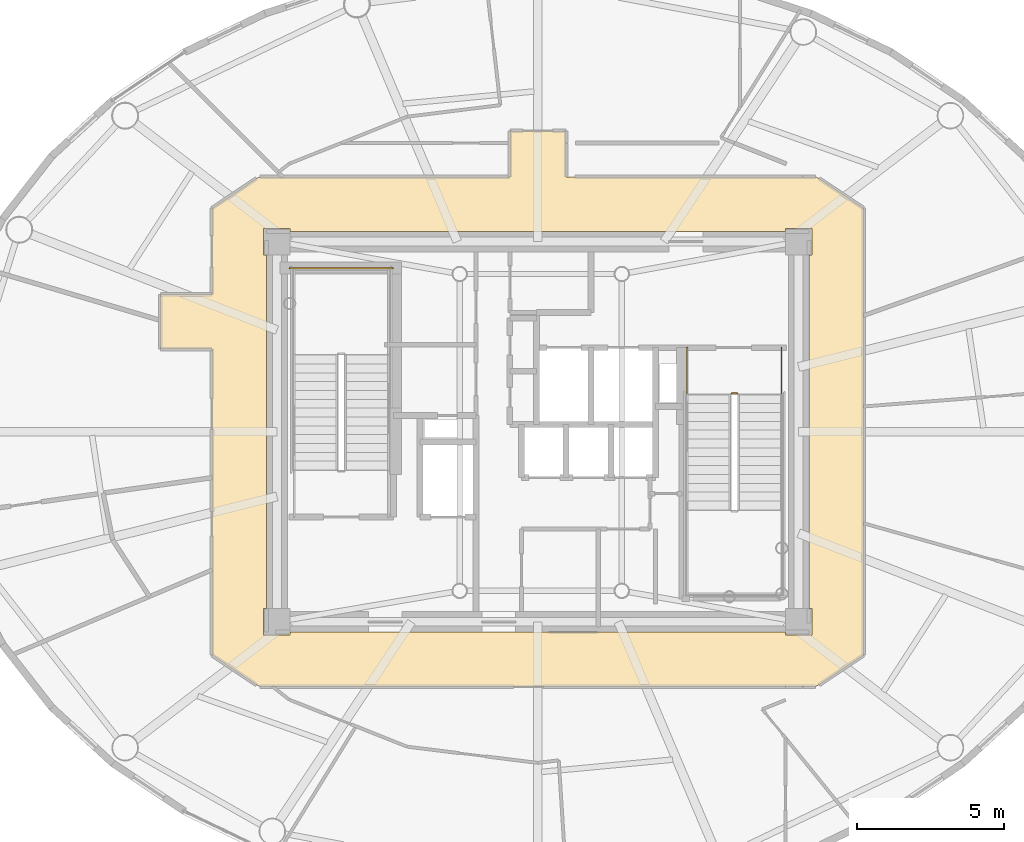
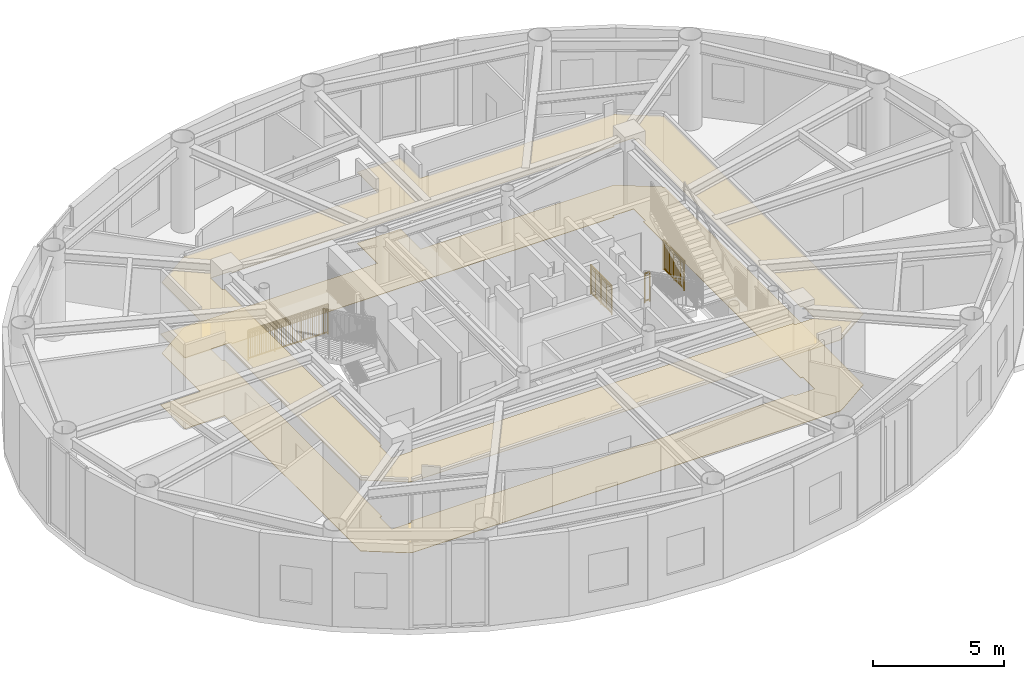
# One storey, part 24 of 24: 4 railings, 2 coverings.
"""IFC4 building model written with IfcOpenShell, lengths in metres."""

from ifc_helpers import new_model, si_unit, direction, frame, origin, origin_2d, place, context, subcontext, project, spatial, polyline, rectangle, outline, extrude, source, transform, mapped, material, layer, layer_set, type_object, element, save


model = new_model("IFC4")

# Units and contexts
model_context = context("Model", 3, precision=1e-05, world=origin(), true_north=direction((0.0, 1.0)))
body_context = subcontext(model_context, "Body", "Model", "MODEL_VIEW")
ifc_project = project(units=[si_unit("LENGTHUNIT", "METRE"), si_unit("AREAUNIT", "SQUARE_METRE"), si_unit("VOLUMEUNIT", "CUBIC_METRE"), si_unit("PLANEANGLEUNIT", "RADIAN"), si_unit("MASSUNIT", "GRAM", prefix="KILO")], contexts=[model_context])

# Site, building, storey
site_placement = place(None, origin())
site = spatial("IfcSite", under=ifc_project, at=site_placement, CompositionType="ELEMENT")
building_placement = place(site_placement, origin())
building = spatial("IfcBuilding", under=site, at=building_placement, Name="Linh Dai School and Residence Tower", CompositionType="ELEMENT")
storey_placement = place(building_placement, frame((0.0, 0.0, 355.199951171875)))
storey = spatial("IfcBuildingStorey", under=building, at=storey_placement, Name="L88", CompositionType="ELEMENT", Elevation=355.199951171875)

# Coverings
ifc_material_1 = material(Name="Mineral Fibre Acoustic Suspended Ceiling", Category="masonry")
ifc_layer_1 = layer(ifc_material_1, 0.02001953125)
ifc_layer_set_1 = layer_set([ifc_layer_1], Name="Mineral Fibre Acoustic Suspended Ceiling")
covering_type_1 = type_object("IfcCoveringType", Name="COV-CEIL-AC-20", PredefinedType="CEILING", material=ifc_layer_set_1)
covering_1_placement = place(storey_placement, frame((0.0, 0.0, 3.300048828125)))
element("IfcCovering", 1, at=covering_1_placement, inside=storey, type_object=covering_type_1, Name="L88 Residential Floor Corridor Suspended Ceiling", PredefinedType="CEILING", context=body_context, shape_type="SweptSolid", body=[
    extrude(outline(polyline([(23.199951171875, 31.64990234375), (24.949951171875, 31.64990234375), (24.949951171875, 34.58251953125), (26.458740234375, 35.591796875), (26.580078125, 35.64990234375), (35.050048828125, 35.64990234375), (35.050048828125, 37.199951171875), (36.949951171875, 37.199951171875), (36.949951171875, 35.64990234375), (45.419921875, 35.64990234375), (45.541259765625, 35.591796875), (47.050048828125, 34.58251953125), (47.050048828125, 19.41748046875), (45.541259765625, 18.408203125), (45.419921875, 18.35009765625), (26.580078125, 18.35009765625), (26.458740234375, 18.408203125), (24.949951171875, 19.41748046875), (24.949951171875, 29.800048828125), (23.199951171875, 29.800048828125), (23.199951171875, 31.64990234375)]), holes=[polyline([(27.60009765625, 33.800048828125), (27.60009765625, 33.89990234375), (26.699951171875, 33.89990234375), (26.699951171875, 33.0), (26.800048828125, 33.0), (26.800048828125, 21.0), (26.699951171875, 21.0), (26.699951171875, 20.10009765625), (27.60009765625, 20.10009765625), (27.60009765625, 20.199951171875), (44.39990234375, 20.199951171875), (44.39990234375, 20.10009765625), (45.300048828125, 20.10009765625), (45.300048828125, 21.0), (45.199951171875, 21.0), (45.199951171875, 33.0), (45.300048828125, 33.0), (45.300048828125, 33.89990234375), (44.39990234375, 33.89990234375), (44.39990234375, 33.800048828125), (27.60009765625, 33.800048828125)])]), origin(), (0.0, 0.0, 1.0), 0.02001953125),
])
ifc_material_2 = material(Name="Polished Terrazzo Floor Finish", Category="masonry")
ifc_layer_2 = layer(ifc_material_2, 0.02490234375)
ifc_layer_set_2 = layer_set([ifc_layer_2], Name="Polished Terrazzo Floor Finish")
covering_type_2 = type_object("IfcCoveringType", Name="COV-FLR-TRZ-25", PredefinedType="FLOORING", material=ifc_layer_set_2)
covering_2_placement = place(storey_placement, origin())
element("IfcCovering", 2, at=covering_2_placement, inside=storey, type_object=covering_type_2, Name="L88 Residential Floor Corridor Floor Finish", PredefinedType="FLOORING", context=body_context, shape_type="SweptSolid", body=[
    extrude(outline(polyline([(23.199951171875, 31.64990234375), (24.949951171875, 31.64990234375), (24.949951171875, 34.58251953125), (26.458740234375, 35.591796875), (26.580078125, 35.64990234375), (35.050048828125, 35.64990234375), (35.050048828125, 37.199951171875), (36.949951171875, 37.199951171875), (36.949951171875, 35.64990234375), (45.419921875, 35.64990234375), (45.541259765625, 35.591796875), (47.050048828125, 34.58251953125), (47.050048828125, 19.41748046875), (45.541259765625, 18.408203125), (45.419921875, 18.35009765625), (26.580078125, 18.35009765625), (26.458740234375, 18.408203125), (24.949951171875, 19.41748046875), (24.949951171875, 29.800048828125), (23.199951171875, 29.800048828125), (23.199951171875, 31.64990234375)]), holes=[polyline([(27.60009765625, 33.800048828125), (27.60009765625, 33.89990234375), (26.699951171875, 33.89990234375), (26.699951171875, 33.0), (26.800048828125, 33.0), (26.800048828125, 21.0), (26.699951171875, 21.0), (26.699951171875, 20.10009765625), (27.60009765625, 20.10009765625), (27.60009765625, 20.199951171875), (44.39990234375, 20.199951171875), (44.39990234375, 20.10009765625), (45.300048828125, 20.10009765625), (45.300048828125, 21.0), (45.199951171875, 21.0), (45.199951171875, 33.0), (45.300048828125, 33.0), (45.300048828125, 33.89990234375), (44.39990234375, 33.89990234375), (44.39990234375, 33.800048828125), (27.60009765625, 33.800048828125)])]), origin(), (0.0, 0.0, 1.0), 0.02001953125),
])

# Railings
ifc_material_3 = material(Name="Structural Steel S355JR", Category="steel")
railing_type = type_object("IfcRailingType", Name="RL-ST-GUARD-1400", PredefinedType="GUARDRAIL", material=ifc_material_3)
shared_shape_1 = source(origin(), body_context, "Body", "SweptSolid", [
    extrude(rectangle(XDim=0.048095703125, YDim=0.048095703125, at=origin_2d()), frame((0.0, 0.0, 1.3759765625), z_axis=(-1.0, 0.0, 0.0), x_axis=(0.0, -1.0, 0.0)), (0.0, 0.0, 1.0), 3.5),
    extrude(rectangle(XDim=0.048095703125, YDim=0.048095703125, at=origin_2d()), frame((0.0, 0.0, 0.10009765625), z_axis=(-1.0, 0.0, 0.0), x_axis=(0.0, -1.0, 0.0)), (0.0, 0.0, 1.0), 3.5),
    extrude(rectangle(XDim=0.030029296875, YDim=0.030029296875, at=origin_2d()), frame((0.0, 0.0, 1.239990234375), z_axis=(-1.0, 0.0, 0.0), x_axis=(0.0, -1.0, 0.0)), (0.0, 0.0, 1.0), 3.5),
    extrude(rectangle(XDim=0.02001953125, YDim=0.02001953125, at=origin_2d()), frame((-0.09716796875, 0.0, 0.10009765625)), (0.0, 0.0, 1.0), 1.251708984375),
    extrude(rectangle(XDim=0.02001953125, YDim=0.02001953125, at=origin_2d()), frame((-0.1943359375, 0.0, 0.10009765625)), (0.0, 0.0, 1.0), 1.251708984375),
    extrude(rectangle(XDim=0.02001953125, YDim=0.02001953125, at=origin_2d()), frame((-0.291748046875, 0.0, 0.10009765625)), (0.0, 0.0, 1.0), 1.251708984375),
    extrude(rectangle(XDim=0.02001953125, YDim=0.02001953125, at=origin_2d()), frame((-0.388916015625, 0.0, 0.10009765625)), (0.0, 0.0, 1.0), 1.251708984375),
    extrude(rectangle(XDim=0.02001953125, YDim=0.02001953125, at=origin_2d()), frame((-0.486083984375, 0.0, 0.10009765625)), (0.0, 0.0, 1.0), 1.251708984375),
    extrude(rectangle(XDim=0.02001953125, YDim=0.02001953125, at=origin_2d()), frame((-0.583251953125, 0.0, 0.10009765625)), (0.0, 0.0, 1.0), 1.251708984375),
    extrude(rectangle(XDim=0.02001953125, YDim=0.02001953125, at=origin_2d()), frame((-0.6806640625, 0.0, 0.10009765625)), (0.0, 0.0, 1.0), 1.251708984375),
    extrude(rectangle(XDim=0.02001953125, YDim=0.02001953125, at=origin_2d()), frame((-0.77783203125, 0.0, 0.10009765625)), (0.0, 0.0, 1.0), 1.251708984375),
    extrude(rectangle(XDim=0.02001953125, YDim=0.02001953125, at=origin_2d()), frame((-0.875, 0.0, 0.10009765625)), (0.0, 0.0, 1.0), 1.251708984375),
    extrude(rectangle(XDim=0.02001953125, YDim=0.02001953125, at=origin_2d()), frame((-0.97216796875, 0.0, 0.10009765625)), (0.0, 0.0, 1.0), 1.251708984375),
    extrude(rectangle(XDim=0.02001953125, YDim=0.02001953125, at=origin_2d()), frame((-1.0693359375, 0.0, 0.10009765625)), (0.0, 0.0, 1.0), 1.251708984375),
    extrude(rectangle(XDim=0.02001953125, YDim=0.02001953125, at=origin_2d()), frame((-1.263916015625, 0.0, 0.10009765625)), (0.0, 0.0, 1.0), 1.251708984375),
    extrude(rectangle(XDim=0.02001953125, YDim=0.02001953125, at=origin_2d()), frame((-1.361083984375, 0.0, 0.10009765625)), (0.0, 0.0, 1.0), 1.251708984375),
    extrude(rectangle(XDim=0.02001953125, YDim=0.02001953125, at=origin_2d()), frame((-1.458251953125, 0.0, 0.10009765625)), (0.0, 0.0, 1.0), 1.251708984375),
    extrude(rectangle(XDim=0.02001953125, YDim=0.02001953125, at=origin_2d()), frame((-1.5556640625, 0.0, 0.10009765625)), (0.0, 0.0, 1.0), 1.251708984375),
    extrude(rectangle(XDim=0.02001953125, YDim=0.02001953125, at=origin_2d()), frame((-1.65283203125, 0.0, 0.10009765625)), (0.0, 0.0, 1.0), 1.251708984375),
    extrude(rectangle(XDim=0.02001953125, YDim=0.02001953125, at=origin_2d()), frame((-1.75, 0.0, 0.10009765625)), (0.0, 0.0, 1.0), 1.251708984375),
    extrude(rectangle(XDim=0.02001953125, YDim=0.02001953125, at=origin_2d()), frame((-1.84716796875, 0.0, 0.10009765625)), (0.0, 0.0, 1.0), 1.251708984375),
    extrude(rectangle(XDim=0.02001953125, YDim=0.02001953125, at=origin_2d()), frame((-1.9443359375, 0.0, 0.10009765625)), (0.0, 0.0, 1.0), 1.251708984375),
    extrude(rectangle(XDim=0.02001953125, YDim=0.02001953125, at=origin_2d()), frame((-2.041748046875, 0.0, 0.10009765625)), (0.0, 0.0, 1.0), 1.251708984375),
    extrude(rectangle(XDim=0.02001953125, YDim=0.02001953125, at=origin_2d()), frame((-2.138916015625, 0.0, 0.10009765625)), (0.0, 0.0, 1.0), 1.251708984375),
    extrude(rectangle(XDim=0.02001953125, YDim=0.02001953125, at=origin_2d()), frame((-2.236083984375, 0.0, 0.10009765625)), (0.0, 0.0, 1.0), 1.251708984375),
    extrude(rectangle(XDim=0.02001953125, YDim=0.02001953125, at=origin_2d()), frame((-2.4306640625, 0.0, 0.10009765625)), (0.0, 0.0, 1.0), 1.251708984375),
    extrude(rectangle(XDim=0.02001953125, YDim=0.02001953125, at=origin_2d()), frame((-2.52783203125, 0.0, 0.10009765625)), (0.0, 0.0, 1.0), 1.251708984375),
    extrude(rectangle(XDim=0.02001953125, YDim=0.02001953125, at=origin_2d()), frame((-2.625, 0.0, 0.10009765625)), (0.0, 0.0, 1.0), 1.251708984375),
    extrude(rectangle(XDim=0.02001953125, YDim=0.02001953125, at=origin_2d()), frame((-2.72216796875, 0.0, 0.10009765625)), (0.0, 0.0, 1.0), 1.251708984375),
    extrude(rectangle(XDim=0.02001953125, YDim=0.02001953125, at=origin_2d()), frame((-2.8193359375, 0.0, 0.10009765625)), (0.0, 0.0, 1.0), 1.251708984375),
    extrude(rectangle(XDim=0.02001953125, YDim=0.02001953125, at=origin_2d()), frame((-2.916748046875, 0.0, 0.10009765625)), (0.0, 0.0, 1.0), 1.251708984375),
    extrude(rectangle(XDim=0.02001953125, YDim=0.02001953125, at=origin_2d()), frame((-3.013916015625, 0.0, 0.10009765625)), (0.0, 0.0, 1.0), 1.251708984375),
    extrude(rectangle(XDim=0.02001953125, YDim=0.02001953125, at=origin_2d()), frame((-3.111083984375, 0.0, 0.10009765625)), (0.0, 0.0, 1.0), 1.251708984375),
    extrude(rectangle(XDim=0.02001953125, YDim=0.02001953125, at=origin_2d()), frame((-3.208251953125, 0.0, 0.10009765625)), (0.0, 0.0, 1.0), 1.251708984375),
    extrude(rectangle(XDim=0.02001953125, YDim=0.02001953125, at=origin_2d()), frame((-3.3056640625, 0.0, 0.10009765625)), (0.0, 0.0, 1.0), 1.251708984375),
    extrude(rectangle(XDim=0.02001953125, YDim=0.02001953125, at=origin_2d()), frame((-3.40283203125, 0.0, 0.10009765625)), (0.0, 0.0, 1.0), 1.251708984375),
    extrude(rectangle(XDim=0.0419921875, YDim=0.0419921875, at=origin_2d()), origin(), (0.0, 0.0, 1.0), 1.3759765625),
    extrude(rectangle(XDim=0.0419921875, YDim=0.0419921875, at=origin_2d()), frame((-1.166748046875, 0.0, 0.0)), (0.0, 0.0, 1.0), 1.3759765625),
    extrude(rectangle(XDim=0.0419921875, YDim=0.0419921875, at=origin_2d()), frame((-2.333251953125, 0.0, 0.0)), (0.0, 0.0, 1.0), 1.3759765625),
    extrude(rectangle(XDim=0.0419921875, YDim=0.0419921875, at=origin_2d()), frame((-3.5, 0.0, 0.0)), (0.0, 0.0, 1.0), 1.3759765625),
])
railing_1_placement = place(storey_placement, frame((31.080078125, 32.550048828125, 0.0)))
element("IfcRailing", 3, at=railing_1_placement, inside=storey, type_object=railing_type, Name="L88 ST1 stair guard 12", PredefinedType="GUARDRAIL", context=body_context, shape_type="MappedRepresentation", body=[
    mapped(shared_shape_1, transform((0.0, 0.0, 0.0), x_axis=(1.0, 0.0, 0.0), y_axis=(0.0, 1.0, 0.0), z_axis=(0.0, 0.0, 1.0), scale=1.0)),
])
shared_shape_2 = source(origin(), body_context, "Body", "SweptSolid", [
    extrude(rectangle(XDim=0.048095703125, YDim=0.048095703125, at=origin_2d()), frame((0.0, 0.0, 1.3759765625), z_axis=(1.0, 0.0, 0.0), x_axis=(0.0, 1.0, 0.0)), (0.0, 0.0, 1.0), 0.199951171875),
    extrude(rectangle(XDim=0.048095703125, YDim=0.048095703125, at=origin_2d()), frame((0.0, 0.0, 0.10009765625), z_axis=(1.0, 0.0, 0.0), x_axis=(0.0, 1.0, 0.0)), (0.0, 0.0, 1.0), 0.199951171875),
    extrude(rectangle(XDim=0.030029296875, YDim=0.030029296875, at=origin_2d()), frame((0.0, 0.0, 1.239990234375), z_axis=(1.0, 0.0, 0.0), x_axis=(0.0, 1.0, 0.0)), (0.0, 0.0, 1.0), 0.199951171875),
    extrude(rectangle(XDim=0.0419921875, YDim=0.0419921875, at=origin_2d()), origin(), (0.0, 0.0, 1.0), 1.3759765625),
    extrude(rectangle(XDim=0.0419921875, YDim=0.0419921875, at=origin_2d()), frame((0.199951171875, 0.0, 0.0)), (0.0, 0.0, 1.0), 1.3759765625),
])
railing_2_placement = place(storey_placement, frame((42.570068359375, 28.300048828125, 0.0)))
element("IfcRailing", 4, at=railing_2_placement, inside=storey, type_object=railing_type, Name="L88 ST2 stair guard 7", PredefinedType="GUARDRAIL", context=body_context, shape_type="MappedRepresentation", body=[
    mapped(shared_shape_2, transform((0.0, 0.0, 0.0), x_axis=(1.0, 0.0, 0.0), y_axis=(0.0, 1.0, 0.0), z_axis=(0.0, 0.0, 1.0), scale=1.0)),
])
shared_shape_3 = source(origin(), body_context, "Body", "SweptSolid", [
    extrude(rectangle(XDim=0.048095703125, YDim=0.048095703125, at=origin_2d()), frame((0.0, 0.0, 1.3759765625), z_axis=(0.0, -1.0, 0.0), x_axis=(1.0, 0.0, 0.0)), (0.0, 0.0, 1.0), 1.60009765625),
    extrude(rectangle(XDim=0.048095703125, YDim=0.048095703125, at=origin_2d()), frame((0.0, 0.0, 0.10009765625), z_axis=(0.0, -1.0, 0.0), x_axis=(1.0, 0.0, 0.0)), (0.0, 0.0, 1.0), 1.60009765625),
    extrude(rectangle(XDim=0.030029296875, YDim=0.030029296875, at=origin_2d()), frame((0.0, 0.0, 1.239990234375), z_axis=(0.0, -1.0, 0.0), x_axis=(1.0, 0.0, 0.0)), (0.0, 0.0, 1.0), 1.60009765625),
    extrude(rectangle(XDim=0.02001953125, YDim=0.02001953125, at=origin_2d()), frame((0.0, -0.09423828125, 0.10009765625)), (0.0, 0.0, 1.0), 1.251708984375),
    extrude(rectangle(XDim=0.02001953125, YDim=0.02001953125, at=origin_2d()), frame((0.0, -0.188232421875, 0.10009765625)), (0.0, 0.0, 1.0), 1.251708984375),
    extrude(rectangle(XDim=0.02001953125, YDim=0.02001953125, at=origin_2d()), frame((0.0, -0.282470703125, 0.10009765625)), (0.0, 0.0, 1.0), 1.251708984375),
    extrude(rectangle(XDim=0.02001953125, YDim=0.02001953125, at=origin_2d()), frame((0.0, -0.37646484375, 0.10009765625)), (0.0, 0.0, 1.0), 1.251708984375),
    extrude(rectangle(XDim=0.02001953125, YDim=0.02001953125, at=origin_2d()), frame((0.0, -0.470703125, 0.10009765625)), (0.0, 0.0, 1.0), 1.251708984375),
    extrude(rectangle(XDim=0.02001953125, YDim=0.02001953125, at=origin_2d()), frame((0.0, -0.564697265625, 0.10009765625)), (0.0, 0.0, 1.0), 1.251708984375),
    extrude(rectangle(XDim=0.02001953125, YDim=0.02001953125, at=origin_2d()), frame((0.0, -0.658935546875, 0.10009765625)), (0.0, 0.0, 1.0), 1.251708984375),
    extrude(rectangle(XDim=0.02001953125, YDim=0.02001953125, at=origin_2d()), frame((0.0, -0.7529296875, 0.10009765625)), (0.0, 0.0, 1.0), 1.251708984375),
    extrude(rectangle(XDim=0.02001953125, YDim=0.02001953125, at=origin_2d()), frame((0.0, -0.84716796875, 0.10009765625)), (0.0, 0.0, 1.0), 1.251708984375),
    extrude(rectangle(XDim=0.02001953125, YDim=0.02001953125, at=origin_2d()), frame((0.0, -0.941162109375, 0.10009765625)), (0.0, 0.0, 1.0), 1.251708984375),
    extrude(rectangle(XDim=0.02001953125, YDim=0.02001953125, at=origin_2d()), frame((0.0, -1.035400390625, 0.10009765625)), (0.0, 0.0, 1.0), 1.251708984375),
    extrude(rectangle(XDim=0.02001953125, YDim=0.02001953125, at=origin_2d()), frame((0.0, -1.12939453125, 0.10009765625)), (0.0, 0.0, 1.0), 1.251708984375),
    extrude(rectangle(XDim=0.02001953125, YDim=0.02001953125, at=origin_2d()), frame((0.0, -1.2236328125, 0.10009765625)), (0.0, 0.0, 1.0), 1.251708984375),
    extrude(rectangle(XDim=0.02001953125, YDim=0.02001953125, at=origin_2d()), frame((0.0, -1.317626953125, 0.10009765625)), (0.0, 0.0, 1.0), 1.251708984375),
    extrude(rectangle(XDim=0.02001953125, YDim=0.02001953125, at=origin_2d()), frame((0.0, -1.411865234375, 0.10009765625)), (0.0, 0.0, 1.0), 1.251708984375),
    extrude(rectangle(XDim=0.02001953125, YDim=0.02001953125, at=origin_2d()), frame((0.0, -1.505859375, 0.10009765625)), (0.0, 0.0, 1.0), 1.251708984375),
    extrude(rectangle(XDim=0.0419921875, YDim=0.0419921875, at=origin_2d()), origin(), (0.0, 0.0, 1.0), 1.3759765625),
    extrude(rectangle(XDim=0.0419921875, YDim=0.0419921875, at=origin_2d()), frame((0.0, -0.800048828125, 0.0)), (0.0, 0.0, 1.0), 1.3759765625),
    extrude(rectangle(XDim=0.0419921875, YDim=0.0419921875, at=origin_2d()), frame((0.0, -1.60009765625, 0.0)), (0.0, 0.0, 1.0), 1.3759765625),
])
for number, where, name in (
    (5, (41.070068359375, 29.85009765625, 0.0), "L88 ST2 stair guard 8"),
    (6, (44.27001953125, 29.85009765625, 0.0), "L88 ST2 stair guard 9"),
):
    element("IfcRailing", number, at=place(storey_placement, frame(where)), inside=storey, type_object=railing_type, Name=name, PredefinedType="GUARDRAIL", context=body_context, shape_type="MappedRepresentation", body=[
        mapped(shared_shape_3, transform((0.0, 0.0, 0.0), x_axis=(1.0, 0.0, 0.0), y_axis=(0.0, 1.0, 0.0), z_axis=(0.0, 0.0, 1.0), scale=1.0)),
    ])

save(model, "model.ifc")
